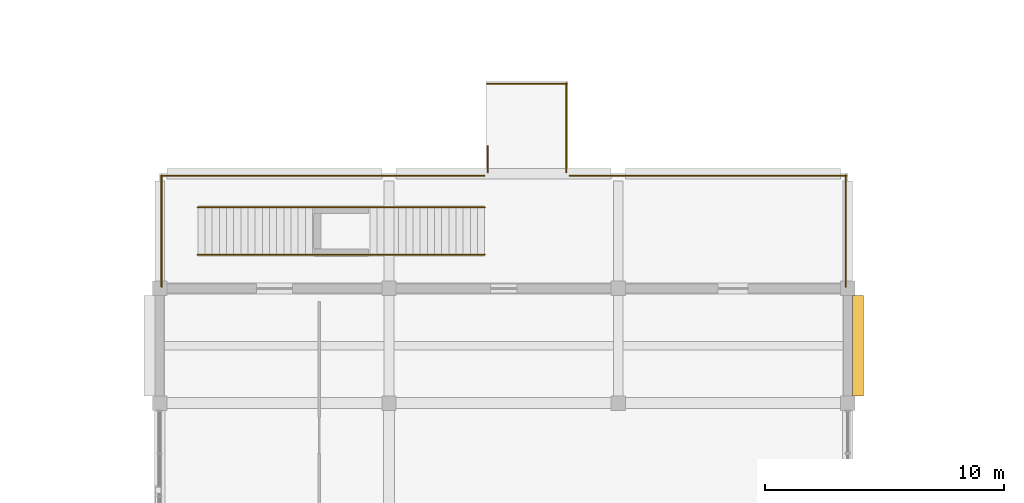
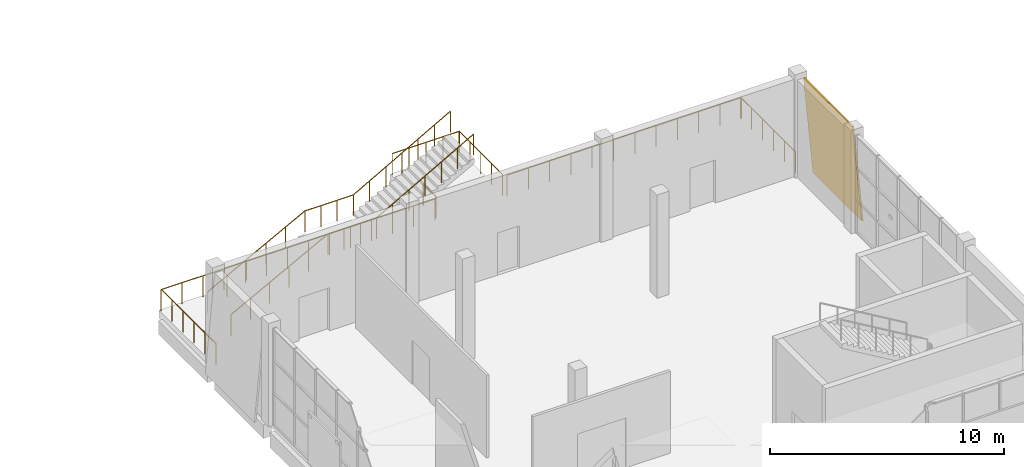
# One storey, part 52 of 57: 9 railings, 1 covering.
"""IFC4 building model written with IfcOpenShell, lengths in metres."""

from ifc_helpers import new_model, si_unit, direction, frame, origin, origin_2d, place, context, subcontext, project, spatial, polyline, circle, outline, extrude, material, layer, layer_set, type_object, element, save


model = new_model("IFC4")

# Units and contexts
model_context = context("Model", 3, precision=1e-05, world=origin(), true_north=direction((0.0, 1.0)))
body_context = subcontext(model_context, "Body", "Model", "MODEL_VIEW")
ifc_project = project(units=[si_unit("LENGTHUNIT", "METRE"), si_unit("AREAUNIT", "SQUARE_METRE"), si_unit("VOLUMEUNIT", "CUBIC_METRE"), si_unit("PLANEANGLEUNIT", "RADIAN"), si_unit("MASSUNIT", "GRAM", prefix="KILO")], contexts=[model_context])

# Site, building, storey
site_placement = place(None, origin())
site = spatial("IfcSite", under=ifc_project, at=site_placement, CompositionType="ELEMENT")
building_placement = place(site_placement, origin())
building = spatial("IfcBuilding", under=site, at=building_placement, Name="Shalvenor Court Art Gallery", CompositionType="ELEMENT")
storey_placement = place(building_placement, frame((0.0, 0.0, 16.800048828125)))
storey = spatial("IfcBuildingStorey", under=building, at=storey_placement, Name="L03", CompositionType="ELEMENT", Elevation=16.800048828125)

# Covering
ifc_material_1 = material(Name="Pale Mediterranean limestone cladding", Category="masonry")
ifc_layer = layer(ifc_material_1, 0.080078125, Name="Pale Mediterranean limestone cladding")
ifc_layer_set = layer_set([ifc_layer], Name="Pale Mediterranean limestone cladding")
covering_type = type_object("IfcCoveringType", Name="CLD-01", PredefinedType="CLADDING", material=ifc_layer_set)
covering_placement = place(storey_placement, frame((125.4541015625, 19.5, 0.0), z_axis=(0.0, 0.0, 1.0), x_axis=(0.0, 1.0, 0.0)))
element("IfcCovering", 1, at=covering_placement, inside=storey, type_object=covering_type, Name="L03 V3 Tapered Limestone Cladding 56", PredefinedType="CLADDING", context=body_context, shape_type="SweptSolid", body=[
    extrude(outline(polyline([(0.0, 0.0), (4.199951171875, 0.0), (4.199951171875, 5.120849609375), (0.0, 5.120849609375), (0.0, 0.0)])), frame((0.0, 0.0, 0.0), z_axis=(0.0, -0.995884398616, 0.090632580198), x_axis=(1.0, 0.0, 0.0)), (0.0, 0.090632580198, -0.995884398616), 0.080322265625),
])

# Railings
ifc_material_2 = material(Name="Stainless steel and laminated glass balustrade", Category="steel")
railing_type = type_object("IfcRailingType", Name="GR-01", PredefinedType="BALUSTRADE", material=ifc_material_2)
railing_1_placement = place(storey_placement, frame((124.719970703125, 28.739990234375, 0.0)))
element("IfcRailing", 2, at=railing_1_placement, inside=storey, type_object=railing_type, Name="L03 V3 Terrace Balustrade 32", PredefinedType="BALUSTRADE", context=body_context, shape_type="SweptSolid", body=[
    extrude(circle(Radius=0.02392578125, at=origin_2d()), frame((0.0, 0.0, 1.09619140625), z_axis=(0.0, -1.0, 0.0), x_axis=(1.0, 0.0, 0.0)), (0.0, 0.0, 1.0), 4.679931640625),
    extrude(circle(Radius=0.02099609375, at=origin_2d()), origin(), (0.0, 0.0, 1.0), 1.072021484375),
    extrude(circle(Radius=0.02099609375, at=origin_2d()), frame((0.0, -0.93603515625, 0.0)), (0.0, 0.0, 1.0), 1.072021484375),
    extrude(circle(Radius=0.02099609375, at=origin_2d()), frame((0.0, -1.8720703125, 0.0)), (0.0, 0.0, 1.0), 1.072021484375),
    extrude(circle(Radius=0.02099609375, at=origin_2d()), frame((0.0, -2.807861328125, 0.0)), (0.0, 0.0, 1.0), 1.072021484375),
    extrude(circle(Radius=0.02099609375, at=origin_2d()), frame((0.0, -3.743896484375, 0.0)), (0.0, 0.0, 1.0), 1.072021484375),
    extrude(circle(Radius=0.02099609375, at=origin_2d()), frame((0.0, -4.679931640625, 0.0)), (0.0, 0.0, 1.0), 1.072021484375),
])
railing_2_placement = place(storey_placement, frame((96.080078125, 24.06005859375, 0.0)))
element("IfcRailing", 3, at=railing_2_placement, inside=storey, type_object=railing_type, Name="L03 V3 Terrace Balustrade 33", PredefinedType="BALUSTRADE", context=body_context, shape_type="SweptSolid", body=[
    extrude(circle(Radius=0.02392578125, at=origin_2d()), frame((0.0, 0.0, 1.09619140625), z_axis=(0.0, 1.0, 0.0), x_axis=(-1.0, 0.0, 0.0)), (0.0, 0.0, 1.0), 4.679931640625),
    extrude(circle(Radius=0.02099609375, at=origin_2d()), origin(), (0.0, 0.0, 1.0), 1.072021484375),
    extrude(circle(Radius=0.02099609375, at=origin_2d()), frame((0.0, 0.93603515625, 0.0)), (0.0, 0.0, 1.0), 1.072021484375),
    extrude(circle(Radius=0.02099609375, at=origin_2d()), frame((0.0, 1.8720703125, 0.0)), (0.0, 0.0, 1.0), 1.072021484375),
    extrude(circle(Radius=0.02099609375, at=origin_2d()), frame((0.0, 2.807861328125, 0.0)), (0.0, 0.0, 1.0), 1.072021484375),
    extrude(circle(Radius=0.02099609375, at=origin_2d()), frame((0.0, 3.743896484375, 0.0)), (0.0, 0.0, 1.0), 1.072021484375),
    extrude(circle(Radius=0.02099609375, at=origin_2d()), frame((0.0, 4.679931640625, 0.0)), (0.0, 0.0, 1.0), 1.072021484375),
])
railing_3_placement = place(storey_placement, frame((96.06005859375, 28.719970703125, 0.0)))
element("IfcRailing", 4, at=railing_3_placement, inside=storey, type_object=railing_type, Name="L03 V3 Terrace Balustrade 34", PredefinedType="BALUSTRADE", context=body_context, shape_type="SweptSolid", body=[
    extrude(circle(Radius=0.02392578125, at=origin_2d()), frame((0.0, 0.0, 1.09619140625), z_axis=(1.0, 0.0, 0.0), x_axis=(0.0, 1.0, 0.0)), (0.0, 0.0, 1.0), 13.530029296875),
    extrude(circle(Radius=0.02099609375, at=origin_2d()), origin(), (0.0, 0.0, 1.0), 1.072021484375),
    extrude(circle(Radius=0.02099609375, at=origin_2d()), frame((1.040771484375, 0.0, 0.0)), (0.0, 0.0, 1.0), 1.072021484375),
    extrude(circle(Radius=0.02099609375, at=origin_2d()), frame((2.08154296875, 0.0, 0.0)), (0.0, 0.0, 1.0), 1.072021484375),
    extrude(circle(Radius=0.02099609375, at=origin_2d()), frame((3.122314453125, 0.0, 0.0)), (0.0, 0.0, 1.0), 1.072021484375),
    extrude(circle(Radius=0.02099609375, at=origin_2d()), frame((4.1630859375, 0.0, 0.0)), (0.0, 0.0, 1.0), 1.072021484375),
    extrude(circle(Radius=0.02099609375, at=origin_2d()), frame((5.203857421875, 0.0, 0.0)), (0.0, 0.0, 1.0), 1.072021484375),
    extrude(circle(Radius=0.02099609375, at=origin_2d()), frame((6.24462890625, 0.0, 0.0)), (0.0, 0.0, 1.0), 1.072021484375),
    extrude(circle(Radius=0.02099609375, at=origin_2d()), frame((7.285400390625, 0.0, 0.0)), (0.0, 0.0, 1.0), 1.072021484375),
    extrude(circle(Radius=0.02099609375, at=origin_2d()), frame((8.326171875, 0.0, 0.0)), (0.0, 0.0, 1.0), 1.072021484375),
    extrude(circle(Radius=0.02099609375, at=origin_2d()), frame((9.366943359375, 0.0, 0.0)), (0.0, 0.0, 1.0), 1.072021484375),
    extrude(circle(Radius=0.02099609375, at=origin_2d()), frame((10.40771484375, 0.0, 0.0)), (0.0, 0.0, 1.0), 1.072021484375),
    extrude(circle(Radius=0.02099609375, at=origin_2d()), frame((11.448486328125, 0.0, 0.0)), (0.0, 0.0, 1.0), 1.072021484375),
    extrude(circle(Radius=0.02099609375, at=origin_2d()), frame((12.4892578125, 0.0, 0.0)), (0.0, 0.0, 1.0), 1.072021484375),
    extrude(circle(Radius=0.02099609375, at=origin_2d()), frame((13.530029296875, 0.0, 0.0)), (0.0, 0.0, 1.0), 1.072021484375),
])
railing_4_placement = place(storey_placement, frame((109.72998046875, 28.860107421875, 0.0)))
element("IfcRailing", 5, at=railing_4_placement, inside=storey, type_object=railing_type, Name="L03 V3 Terrace Balustrade 35", PredefinedType="BALUSTRADE", context=body_context, shape_type="SweptSolid", body=[
    extrude(circle(Radius=0.02392578125, at=origin_2d()), frame((0.0, 0.0, 1.09619140625), z_axis=(0.0, 1.0, 0.0), x_axis=(-1.0, 0.0, 0.0)), (0.0, 0.0, 1.0), 1.08984375),
    extrude(circle(Radius=0.02099609375, at=origin_2d()), origin(), (0.0, 0.0, 1.0), 1.072021484375),
    extrude(circle(Radius=0.02099609375, at=origin_2d()), frame((0.0, 1.08984375, 0.0)), (0.0, 0.0, 1.0), 1.072021484375),
])
railing_5_placement = place(storey_placement, frame((109.7099609375, 32.570068359375, 0.0)))
element("IfcRailing", 6, at=railing_5_placement, inside=storey, type_object=railing_type, Name="L03 V3 Terrace Balustrade 36", PredefinedType="BALUSTRADE", context=body_context, shape_type="SweptSolid", body=[
    extrude(circle(Radius=0.02392578125, at=origin_2d()), frame((0.0, 0.0, 1.09619140625), z_axis=(1.0, 0.0, 0.0), x_axis=(0.0, 1.0, 0.0)), (0.0, 0.0, 1.0), 3.330078125),
    extrude(circle(Radius=0.02099609375, at=origin_2d()), origin(), (0.0, 0.0, 1.0), 1.072021484375),
    extrude(circle(Radius=0.02099609375, at=origin_2d()), frame((0.83251953125, 0.0, 0.0)), (0.0, 0.0, 1.0), 1.072021484375),
    extrude(circle(Radius=0.02099609375, at=origin_2d()), frame((1.6650390625, 0.0, 0.0)), (0.0, 0.0, 1.0), 1.072021484375),
    extrude(circle(Radius=0.02099609375, at=origin_2d()), frame((2.49755859375, 0.0, 0.0)), (0.0, 0.0, 1.0), 1.072021484375),
    extrude(circle(Radius=0.02099609375, at=origin_2d()), frame((3.330078125, 0.0, 0.0)), (0.0, 0.0, 1.0), 1.072021484375),
])
railing_6_placement = place(storey_placement, frame((113.02001953125, 32.590087890625, 0.0)))
element("IfcRailing", 7, at=railing_6_placement, inside=storey, type_object=railing_type, Name="L03 V3 Terrace Balustrade 37", PredefinedType="BALUSTRADE", context=body_context, shape_type="SweptSolid", body=[
    extrude(circle(Radius=0.02392578125, at=origin_2d()), frame((0.0, 0.0, 1.09619140625), z_axis=(0.0, -1.0, 0.0), x_axis=(1.0, 0.0, 0.0)), (0.0, 0.0, 1.0), 3.72998046875),
    extrude(circle(Radius=0.02099609375, at=origin_2d()), origin(), (0.0, 0.0, 1.0), 1.072021484375),
    extrude(circle(Radius=0.02099609375, at=origin_2d()), frame((0.0, -0.9326171875, 0.0)), (0.0, 0.0, 1.0), 1.072021484375),
    extrude(circle(Radius=0.02099609375, at=origin_2d()), frame((0.0, -1.864990234375, 0.0)), (0.0, 0.0, 1.0), 1.072021484375),
    extrude(circle(Radius=0.02099609375, at=origin_2d()), frame((0.0, -2.79736328125, 0.0)), (0.0, 0.0, 1.0), 1.072021484375),
    extrude(circle(Radius=0.02099609375, at=origin_2d()), frame((0.0, -3.72998046875, 0.0)), (0.0, 0.0, 1.0), 1.072021484375),
])
railing_7_placement = place(storey_placement, frame((113.159912109375, 28.719970703125, 0.0)))
element("IfcRailing", 8, at=railing_7_placement, inside=storey, type_object=railing_type, Name="L03 V3 Terrace Balustrade 38", PredefinedType="BALUSTRADE", context=body_context, shape_type="SweptSolid", body=[
    extrude(circle(Radius=0.02392578125, at=origin_2d()), frame((0.0, 0.0, 1.09619140625), z_axis=(1.0, 0.0, 0.0), x_axis=(0.0, 1.0, 0.0)), (0.0, 0.0, 1.0), 11.580078125),
    extrude(circle(Radius=0.02099609375, at=origin_2d()), origin(), (0.0, 0.0, 1.0), 1.072021484375),
    extrude(circle(Radius=0.02099609375, at=origin_2d()), frame((1.052734375, 0.0, 0.0)), (0.0, 0.0, 1.0), 1.072021484375),
    extrude(circle(Radius=0.02099609375, at=origin_2d()), frame((2.10546875, 0.0, 0.0)), (0.0, 0.0, 1.0), 1.072021484375),
    extrude(circle(Radius=0.02099609375, at=origin_2d()), frame((3.158203125, 0.0, 0.0)), (0.0, 0.0, 1.0), 1.072021484375),
    extrude(circle(Radius=0.02099609375, at=origin_2d()), frame((4.2109375, 0.0, 0.0)), (0.0, 0.0, 1.0), 1.072021484375),
    extrude(circle(Radius=0.02099609375, at=origin_2d()), frame((5.263671875, 0.0, 0.0)), (0.0, 0.0, 1.0), 1.072021484375),
    extrude(circle(Radius=0.02099609375, at=origin_2d()), frame((6.31640625, 0.0, 0.0)), (0.0, 0.0, 1.0), 1.072021484375),
    extrude(circle(Radius=0.02099609375, at=origin_2d()), frame((7.369140625, 0.0, 0.0)), (0.0, 0.0, 1.0), 1.072021484375),
    extrude(circle(Radius=0.02099609375, at=origin_2d()), frame((8.421875, 0.0, 0.0)), (0.0, 0.0, 1.0), 1.072021484375),
    extrude(circle(Radius=0.02099609375, at=origin_2d()), frame((9.474609375, 0.0, 0.0)), (0.0, 0.0, 1.0), 1.072021484375),
    extrude(circle(Radius=0.02099609375, at=origin_2d()), frame((10.52734375, 0.0, 0.0)), (0.0, 0.0, 1.0), 1.072021484375),
    extrude(circle(Radius=0.02099609375, at=origin_2d()), frame((11.580078125, 0.0, 0.0)), (0.0, 0.0, 1.0), 1.072021484375),
])
railing_8_placement = place(storey_placement, frame((97.60009765625, 25.409912109375, 0.15869140625)))
element("IfcRailing", 9, at=railing_8_placement, inside=storey, type_object=railing_type, Name="L03 ST-T5 Outdoor Stair Balustrade S", PredefinedType="BALUSTRADE", context=body_context, shape_type="SweptSolid", body=[
    extrude(circle(Radius=0.02392578125, at=origin_2d()), frame((0.0, 0.0, 1.09619140625), z_axis=(0.883773701108, 0.0, 0.467914570439), x_axis=(0.0, 1.0, 0.0)), (0.0, 0.0, 1.0), 5.43115234375),
    extrude(circle(Radius=0.02392578125, at=origin_2d()), frame((4.7998046875, 0.0, 3.63720703125), z_axis=(1.0, 0.0, 0.0), x_axis=(0.0, 1.0, 0.0)), (0.0, 0.0, 1.0), 2.400146484375),
    extrude(circle(Radius=0.02392578125, at=origin_2d()), frame((7.199951171875, 0.0, 3.63720703125), z_axis=(0.871581456561, 0.0, 0.490250716042), x_axis=(0.0, 1.0, 0.0)), (0.0, 0.0, 1.0), 5.50732421875),
    extrude(circle(Radius=0.02099609375, at=origin_2d()), origin(), (0.0, 0.0, 1.0), 1.072021484375),
    extrude(circle(Radius=0.02099609375, at=origin_2d()), frame((0.9599609375, 0.0, 0.50830078125)), (0.0, 0.0, 1.0), 1.072021484375),
    extrude(circle(Radius=0.02099609375, at=origin_2d()), frame((1.919921875, 0.0, 1.0166015625)), (0.0, 0.0, 1.0), 1.072021484375),
    extrude(circle(Radius=0.02099609375, at=origin_2d()), frame((2.8798828125, 0.0, 1.524658203125)), (0.0, 0.0, 1.0), 1.072021484375),
    extrude(circle(Radius=0.02099609375, at=origin_2d()), frame((3.83984375, 0.0, 2.032958984375)), (0.0, 0.0, 1.0), 1.072021484375),
    extrude(circle(Radius=0.02099609375, at=origin_2d()), frame((4.7998046875, 0.0, 2.541259765625)), (0.0, 0.0, 1.0), 1.072021484375),
    extrude(circle(Radius=0.02099609375, at=origin_2d()), frame((5.599853515625, 0.0, 2.541259765625)), (0.0, 0.0, 1.0), 1.072021484375),
    extrude(circle(Radius=0.02099609375, at=origin_2d()), frame((6.39990234375, 0.0, 2.541259765625)), (0.0, 0.0, 1.0), 1.072021484375),
    extrude(circle(Radius=0.02099609375, at=origin_2d()), frame((7.199951171875, 0.0, 2.541259765625)), (0.0, 0.0, 1.0), 1.072021484375),
    extrude(circle(Radius=0.02099609375, at=origin_2d()), frame((8.0, 0.0, 2.9912109375)), (0.0, 0.0, 1.0), 1.072021484375),
    extrude(circle(Radius=0.02099609375, at=origin_2d()), frame((8.800048828125, 0.0, 3.441162109375)), (0.0, 0.0, 1.0), 1.072021484375),
    extrude(circle(Radius=0.02099609375, at=origin_2d()), frame((9.60009765625, 0.0, 3.89111328125)), (0.0, 0.0, 1.0), 1.072021484375),
    extrude(circle(Radius=0.02099609375, at=origin_2d()), frame((10.39990234375, 0.0, 4.34130859375)), (0.0, 0.0, 1.0), 1.072021484375),
    extrude(circle(Radius=0.02099609375, at=origin_2d()), frame((11.199951171875, 0.0, 4.791259765625)), (0.0, 0.0, 1.0), 1.072021484375),
    extrude(circle(Radius=0.02099609375, at=origin_2d()), frame((12.0, 0.0, 5.2412109375)), (0.0, 0.0, 1.0), 1.072021484375),
])
railing_9_placement = place(storey_placement, frame((97.60009765625, 27.389892578125, 0.15869140625)))
element("IfcRailing", 10, at=railing_9_placement, inside=storey, type_object=railing_type, Name="L03 ST-T5 Outdoor Stair Balustrade N", PredefinedType="BALUSTRADE", context=body_context, shape_type="SweptSolid", body=[
    extrude(circle(Radius=0.02392578125, at=origin_2d()), frame((0.0, 0.0, 1.09619140625), z_axis=(0.883773701108, 0.0, 0.467914570439), x_axis=(0.0, 1.0, 0.0)), (0.0, 0.0, 1.0), 5.43115234375),
    extrude(circle(Radius=0.02392578125, at=origin_2d()), frame((4.7998046875, 0.0, 3.63720703125), z_axis=(1.0, 0.0, 0.0), x_axis=(0.0, 1.0, 0.0)), (0.0, 0.0, 1.0), 2.400146484375),
    extrude(circle(Radius=0.02392578125, at=origin_2d()), frame((7.199951171875, 0.0, 3.63720703125), z_axis=(0.871581456561, 0.0, 0.490250716042), x_axis=(0.0, 1.0, 0.0)), (0.0, 0.0, 1.0), 5.50732421875),
    extrude(circle(Radius=0.02099609375, at=origin_2d()), origin(), (0.0, 0.0, 1.0), 1.072021484375),
    extrude(circle(Radius=0.02099609375, at=origin_2d()), frame((0.9599609375, 0.0, 0.50830078125)), (0.0, 0.0, 1.0), 1.072021484375),
    extrude(circle(Radius=0.02099609375, at=origin_2d()), frame((1.919921875, 0.0, 1.0166015625)), (0.0, 0.0, 1.0), 1.072021484375),
    extrude(circle(Radius=0.02099609375, at=origin_2d()), frame((2.8798828125, 0.0, 1.524658203125)), (0.0, 0.0, 1.0), 1.072021484375),
    extrude(circle(Radius=0.02099609375, at=origin_2d()), frame((3.83984375, 0.0, 2.032958984375)), (0.0, 0.0, 1.0), 1.072021484375),
    extrude(circle(Radius=0.02099609375, at=origin_2d()), frame((4.7998046875, 0.0, 2.541259765625)), (0.0, 0.0, 1.0), 1.072021484375),
    extrude(circle(Radius=0.02099609375, at=origin_2d()), frame((5.599853515625, 0.0, 2.541259765625)), (0.0, 0.0, 1.0), 1.072021484375),
    extrude(circle(Radius=0.02099609375, at=origin_2d()), frame((6.39990234375, 0.0, 2.541259765625)), (0.0, 0.0, 1.0), 1.072021484375),
    extrude(circle(Radius=0.02099609375, at=origin_2d()), frame((7.199951171875, 0.0, 2.541259765625)), (0.0, 0.0, 1.0), 1.072021484375),
    extrude(circle(Radius=0.02099609375, at=origin_2d()), frame((8.0, 0.0, 2.9912109375)), (0.0, 0.0, 1.0), 1.072021484375),
    extrude(circle(Radius=0.02099609375, at=origin_2d()), frame((8.800048828125, 0.0, 3.441162109375)), (0.0, 0.0, 1.0), 1.072021484375),
    extrude(circle(Radius=0.02099609375, at=origin_2d()), frame((9.60009765625, 0.0, 3.89111328125)), (0.0, 0.0, 1.0), 1.072021484375),
    extrude(circle(Radius=0.02099609375, at=origin_2d()), frame((10.39990234375, 0.0, 4.34130859375)), (0.0, 0.0, 1.0), 1.072021484375),
    extrude(circle(Radius=0.02099609375, at=origin_2d()), frame((11.199951171875, 0.0, 4.791259765625)), (0.0, 0.0, 1.0), 1.072021484375),
    extrude(circle(Radius=0.02099609375, at=origin_2d()), frame((12.0, 0.0, 5.2412109375)), (0.0, 0.0, 1.0), 1.072021484375),
])

save(model, "model.ifc")
